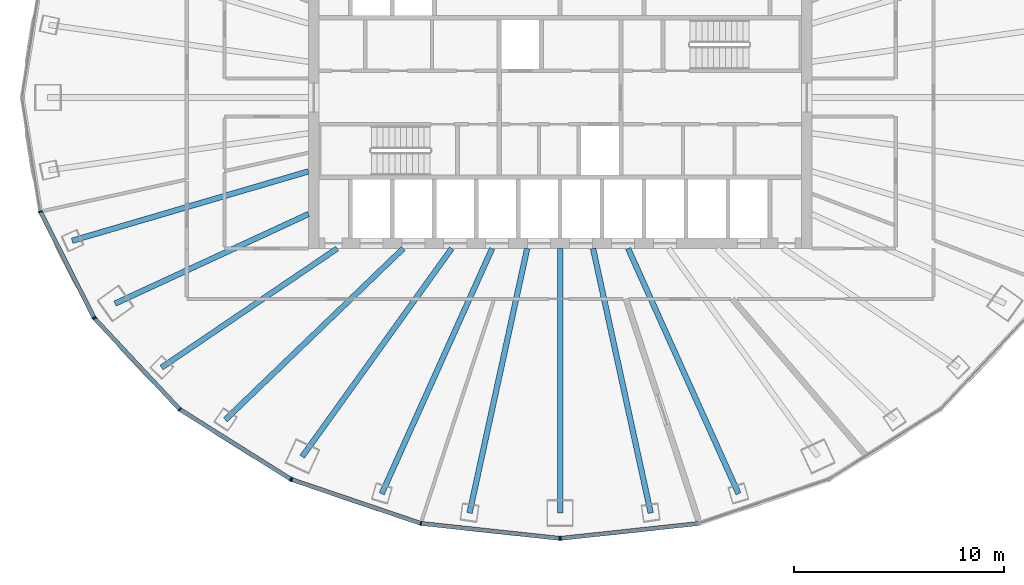
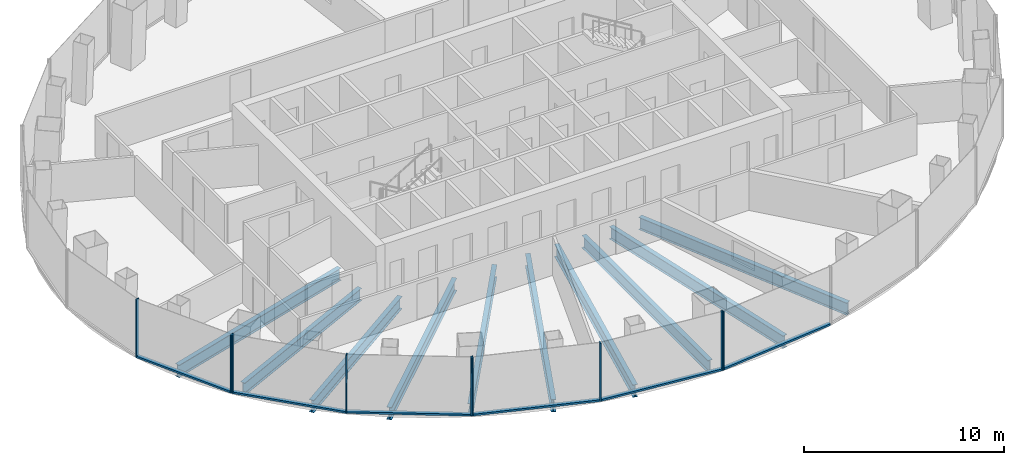
# One storey, part 2 of 12: 15 members, 10 beams, 4 elements without a shape of their own.
"""IFC4 building model written with IfcOpenShell, lengths in metres."""

from ifc_helpers import new_model, si_unit, direction, frame, origin, origin_2d, place, context, subcontext, project, spatial, rectangle, i_section, extrude, material, layer, layer_set, material_profile, profile_set, type_object, element, aggregate, save


model = new_model("IFC4")

# Units and contexts
model_context = context("Model", 3, precision=1e-05, world=origin(), true_north=direction((0.0, 1.0)))
body_context = subcontext(model_context, "Body", "Model", "MODEL_VIEW")
ifc_project = project(units=[si_unit("LENGTHUNIT", "METRE"), si_unit("AREAUNIT", "SQUARE_METRE"), si_unit("VOLUMEUNIT", "CUBIC_METRE"), si_unit("PLANEANGLEUNIT", "RADIAN"), si_unit("MASSUNIT", "GRAM", prefix="KILO")], contexts=[model_context])

# Site, building, storey
site_placement = place(None, origin())
site = spatial("IfcSite", under=ifc_project, at=site_placement, CompositionType="ELEMENT")
building_placement = place(site_placement, origin())
building = spatial("IfcBuilding", under=site, at=building_placement, Name="Siaravel Broadcast Tower", CompositionType="ELEMENT")
storey_placement = place(building_placement, frame((0.0, 0.0, 115.60009765625)))
storey = spatial("IfcBuildingStorey", under=building, at=storey_placement, Name="L27", CompositionType="ELEMENT", Elevation=115.60009765625)

# Beams
ifc_material_1 = material(Name="Steel S355", Category="steel")
ifc_material_profile_1 = material_profile(ifc_material_1, i_section(OverallWidth=0.26513671875, OverallDepth=0.75390625, WebThickness=0.0126953125, FlangeThickness=0.017578125, FilletRadius=0.0166015625, at=origin_2d()))
ifc_profile_set_1 = profile_set([ifc_material_profile_1], Name="Steel S355")
beam_type = type_object("IfcBeamType", Name="BM-UB 762x267x147", PredefinedType="BEAM", material=ifc_profile_set_1)
beam_1_placement = place(storey_placement, frame((-23.27001953125, -6.83056640625, -0.527099609375), z_axis=(0.959517615, 0.281648622, 0.0), x_axis=(-0.281648622, 0.959517615, 0.0)))
element("IfcBeam", 1, at=beam_1_placement, inside=storey, type_object=beam_type, Name="Radial beam RB21", PredefinedType="BEAM", context=body_context, shape_type="SweptSolid", body=[
    extrude(i_section(OverallWidth=0.26513671875, OverallDepth=0.75390625, WebThickness=0.0126953125, FlangeThickness=0.017578125, FilletRadius=0.0166015625, at=origin_2d()), origin(), (0.0, 0.0, 1.0), 11.74560546875),
])
beam_2_placement = place(storey_placement, frame((-21.22021484375, -9.826904296875, -0.527099609375), z_axis=(0.907423475, 0.420217369, 0.0), x_axis=(-0.420217369, 0.907423475, 0.0)))
element("IfcBeam", 2, at=beam_2_placement, inside=storey, type_object=beam_type, Name="Radial beam RB22", PredefinedType="BEAM", context=body_context, shape_type="SweptSolid", body=[
    extrude(i_section(OverallWidth=0.26513671875, OverallDepth=0.75390625, WebThickness=0.0126953125, FlangeThickness=0.017578125, FilletRadius=0.0166015625, at=origin_2d()), origin(), (0.0, 0.0, 1.0), 10.160888671875),
])
beam_3_placement = place(storey_placement, frame((-19.0068359375, -12.87548828125, -0.527099609375), z_axis=(0.827911102, 0.560859348, 0.0), x_axis=(-0.560859348, 0.827911102, 0.0)))
element("IfcBeam", 3, at=beam_3_placement, inside=storey, type_object=beam_type, Name="Radial beam RB23", PredefinedType="BEAM", context=body_context, shape_type="SweptSolid", body=[
    extrude(i_section(OverallWidth=0.26513671875, OverallDepth=0.75390625, WebThickness=0.0126953125, FlangeThickness=0.017578125, FilletRadius=0.0166015625, at=origin_2d()), origin(), (0.0, 0.0, 1.0), 10.119384765625),
])
beam_4_placement = place(storey_placement, frame((-15.964599609375, -15.3671875, -0.527099609375), z_axis=(0.720463289, 0.693493078, 0.0), x_axis=(-0.693493078, 0.720463289, 0.0)))
element("IfcBeam", 4, at=beam_4_placement, inside=storey, type_object=beam_type, Name="Radial beam RB24", PredefinedType="BEAM", context=body_context, shape_type="SweptSolid", body=[
    extrude(i_section(OverallWidth=0.26513671875, OverallDepth=0.75390625, WebThickness=0.0126953125, FlangeThickness=0.017578125, FilletRadius=0.0166015625, at=origin_2d()), origin(), (0.0, 0.0, 1.0), 11.77685546875),
])
beam_5_placement = place(storey_placement, frame((-12.30029296875, -17.123779296875, -0.527099609375), z_axis=(0.583402172, 0.812183419, 0.0), x_axis=(-0.812183419, 0.583402172, 0.0)))
element("IfcBeam", 5, at=beam_5_placement, inside=storey, type_object=beam_type, Name="Radial beam RB25", PredefinedType="BEAM", context=body_context, shape_type="SweptSolid", body=[
    extrude(i_section(OverallWidth=0.26513671875, OverallDepth=0.75390625, WebThickness=0.0126953125, FlangeThickness=0.017578125, FilletRadius=0.0166015625, at=origin_2d()), origin(), (0.0, 0.0, 1.0), 12.21875),
])
beam_6_placement = place(storey_placement, frame((-8.507080078125, -18.892822265625, -0.527099609375), z_axis=(0.410581569, 0.911823873, 0.0), x_axis=(-0.911823873, 0.410581569, 0.0)))
element("IfcBeam", 6, at=beam_6_placement, inside=storey, type_object=beam_type, Name="Radial beam RB26", PredefinedType="BEAM", context=body_context, shape_type="SweptSolid", body=[
    extrude(i_section(OverallWidth=0.26513671875, OverallDepth=0.75390625, WebThickness=0.0126953125, FlangeThickness=0.017578125, FilletRadius=0.0166015625, at=origin_2d()), origin(), (0.0, 0.0, 1.0), 12.823486328125),
])
beam_7_placement = place(storey_placement, frame((-4.32080078125, -19.8115234375, -0.527099609375), z_axis=(0.213083696, 0.97703395, 0.0), x_axis=(-0.97703395, 0.213083696, 0.0)))
element("IfcBeam", 7, at=beam_7_placement, inside=storey, type_object=beam_type, Name="Radial beam RB27", PredefinedType="BEAM", context=body_context, shape_type="SweptSolid", body=[
    extrude(i_section(OverallWidth=0.26513671875, OverallDepth=0.75390625, WebThickness=0.0126953125, FlangeThickness=0.017578125, FilletRadius=0.0166015625, at=origin_2d()), origin(), (0.0, 0.0, 1.0), 12.907958984375),
])
beam_8_placement = place(storey_placement, frame((0.0, -19.8212890625, -0.527099609375), z_axis=(0.0, 1.0, 0.0), x_axis=(-1.0, 0.0, 0.0)))
element("IfcBeam", 8, at=beam_8_placement, inside=storey, type_object=beam_type, Name="Radial beam RB28", PredefinedType="BEAM", context=body_context, shape_type="SweptSolid", body=[
    extrude(i_section(OverallWidth=0.26513671875, OverallDepth=0.75390625, WebThickness=0.0126953125, FlangeThickness=0.017578125, FilletRadius=0.0166015625, at=origin_2d()), origin(), (0.0, 0.0, 1.0), 12.621337890625),
])
beam_9_placement = place(storey_placement, frame((4.32080078125, -19.8115234375, -0.527099609375), z_axis=(-0.213083696, 0.97703395, 0.0), x_axis=(-0.97703395, -0.213083696, 0.0)))
element("IfcBeam", 9, at=beam_9_placement, inside=storey, type_object=beam_type, Name="Radial beam RB29", PredefinedType="BEAM", context=body_context, shape_type="SweptSolid", body=[
    extrude(i_section(OverallWidth=0.26513671875, OverallDepth=0.75390625, WebThickness=0.0126953125, FlangeThickness=0.017578125, FilletRadius=0.0166015625, at=origin_2d()), origin(), (0.0, 0.0, 1.0), 12.907958984375),
])
beam_10_placement = place(storey_placement, frame((8.507080078125, -18.892822265625, -0.527099609375), z_axis=(-0.410581569, 0.911823873, 0.0), x_axis=(-0.911823873, -0.410581569, 0.0)))
element("IfcBeam", 10, at=beam_10_placement, inside=storey, type_object=beam_type, Name="Radial beam RB30", PredefinedType="BEAM", context=body_context, shape_type="SweptSolid", body=[
    extrude(i_section(OverallWidth=0.26513671875, OverallDepth=0.75390625, WebThickness=0.0126953125, FlangeThickness=0.017578125, FilletRadius=0.0166015625, at=origin_2d()), origin(), (0.0, 0.0, 1.0), 12.823486328125),
])

# Curtain wall, members
ifc_material_2 = material(Name="Aluminium 6063-T6", Category="aluminium")
ifc_layer = layer(ifc_material_2, 0.199951171875)
ifc_layer_set = layer_set([ifc_layer], Name="Aluminium 6063-T6")
curtain_wall_type = type_object("IfcCurtainWallType", Name="Unitised curtain wall, zone 2", PredefinedType="NOTDEFINED", material=ifc_layer_set)
curtain_wall_1_placement = place(storey_placement, origin())
curtain_wall_1 = element("IfcCurtainWall", 11, at=curtain_wall_1_placement, inside=storey, type_object=curtain_wall_type, Name="L27 Unitised curtain wall, zone 2 07", PredefinedType="NOTDEFINED")
ifc_material_profile_2 = material_profile(ifc_material_2, rectangle(XDim=0.199951171875, YDim=0.06494140625, at=origin_2d()))
ifc_profile_set_2 = profile_set([ifc_material_profile_2], Name="Aluminium 6063-T6")
member_type_1 = type_object("IfcMemberType", Name="CW-Z2 mullion", PredefinedType="MULLION", material=ifc_profile_set_2)
member_1_placement = place(storey_placement, frame((-24.7802734375, -5.44384765625, 0.0), z_axis=(0.0, 0.0, 1.0), x_axis=(0.951177123, 0.308645559, 0.0)))
member_1 = element("IfcMember", 12, at=member_1_placement, type_object=member_type_1, Name="CW-Z2 mullion 2", PredefinedType="MULLION", context=body_context, shape_type="SweptSolid", body=[
    extrude(rectangle(XDim=0.199951171875, YDim=0.06494140625, at=origin_2d()), origin(), (0.0, 0.0, 1.0), 3.5498046875),
])
member_2_placement = place(storey_placement, frame((-22.23046875, -10.486572265625, 0.0), z_axis=(0.0, 0.0, 1.0), x_axis=(0.892391899, 0.451261231, 0.0)))
member_2 = element("IfcMember", 13, at=member_2_placement, type_object=member_type_1, Name="CW-Z2 mullion 3", PredefinedType="MULLION", context=body_context, shape_type="SweptSolid", body=[
    extrude(rectangle(XDim=0.199951171875, YDim=0.06494140625, at=origin_2d()), origin(), (0.0, 0.0, 1.0), 3.5498046875),
])

curtain_wall_2_placement = place(storey_placement, origin())
curtain_wall_2 = element("IfcCurtainWall", 14, at=curtain_wall_2_placement, inside=storey, type_object=curtain_wall_type, Name="L27 Unitised curtain wall, zone 2 08", PredefinedType="NOTDEFINED")
member_3_placement = place(storey_placement, frame((-22.193603515625, -10.539306640625, 0.0), z_axis=(0.0, 0.0, 1.0), x_axis=(0.729804977, 0.683655392, 0.0)))
member_3 = element("IfcMember", 15, at=member_3_placement, type_object=member_type_1, Name="CW-Z2 mullion 1", PredefinedType="MULLION", context=body_context, shape_type="SweptSolid", body=[
    extrude(rectangle(XDim=0.199951171875, YDim=0.06494140625, at=origin_2d()), origin(), (0.0, 0.0, 1.0), 3.5498046875),
])
member_4_placement = place(storey_placement, frame((-18.137451171875, -14.869384765625, 0.0), z_axis=(0.0, 0.0, 1.0), x_axis=(0.63621839, 0.771509015, 0.0)))
member_4 = element("IfcMember", 16, at=member_4_placement, type_object=member_type_1, Name="CW-Z2 mullion 2", PredefinedType="MULLION", context=body_context, shape_type="SweptSolid", body=[
    extrude(rectangle(XDim=0.199951171875, YDim=0.06494140625, at=origin_2d()), origin(), (0.0, 0.0, 1.0), 3.5498046875),
])
member_5_placement = place(storey_placement, frame((-12.8515625, -18.191650390625, 0.0), z_axis=(0.0, 0.0, 1.0), x_axis=(0.532149019, 0.846650708, 0.0)))
member_5 = element("IfcMember", 17, at=member_5_placement, type_object=member_type_1, Name="CW-Z2 mullion 3", PredefinedType="MULLION", context=body_context, shape_type="SweptSolid", body=[
    extrude(rectangle(XDim=0.199951171875, YDim=0.06494140625, at=origin_2d()), origin(), (0.0, 0.0, 1.0), 3.5498046875),
])

curtain_wall_3_placement = place(storey_placement, origin())
curtain_wall_3 = element("IfcCurtainWall", 18, at=curtain_wall_3_placement, inside=storey, type_object=curtain_wall_type, Name="L27 Unitised curtain wall, zone 2 09", PredefinedType="NOTDEFINED")
member_6_placement = place(storey_placement, frame((-12.793212890625, -18.21923828125, 0.0), z_axis=(0.0, 0.0, 1.0), x_axis=(0.321300513, 0.946977286, 0.0)))
member_6 = element("IfcMember", 19, at=member_6_placement, type_object=member_type_1, Name="CW-Z2 mullion 1", PredefinedType="MULLION", context=body_context, shape_type="SweptSolid", body=[
    extrude(rectangle(XDim=0.199951171875, YDim=0.06494140625, at=origin_2d()), origin(), (0.0, 0.0, 1.0), 3.5498046875),
])
member_7_placement = place(storey_placement, frame((-6.637939453125, -20.307861328125, 0.0), z_axis=(0.0, 0.0, 1.0), x_axis=(0.215557996, 0.97649104, 0.0)))
member_7 = element("IfcMember", 20, at=member_7_placement, type_object=member_type_1, Name="CW-Z2 mullion 2", PredefinedType="MULLION", context=body_context, shape_type="SweptSolid", body=[
    extrude(rectangle(XDim=0.199951171875, YDim=0.06494140625, at=origin_2d()), origin(), (0.0, 0.0, 1.0), 3.5498046875),
])
member_8_placement = place(storey_placement, frame((-0.0322265625, -21.02001953125, 0.0), z_axis=(0.0, 0.0, 1.0), x_axis=(0.107217456, 0.994235594, 0.0)))
member_8 = element("IfcMember", 21, at=member_8_placement, type_object=member_type_1, Name="CW-Z2 mullion 3", PredefinedType="MULLION", context=body_context, shape_type="SweptSolid", body=[
    extrude(rectangle(XDim=0.199951171875, YDim=0.06494140625, at=origin_2d()), origin(), (0.0, 0.0, 1.0), 3.5498046875),
])

# Curtain wall, member
curtain_wall_4_placement = place(storey_placement, origin())
curtain_wall_4 = element("IfcCurtainWall", 22, at=curtain_wall_4_placement, inside=storey, type_object=curtain_wall_type, Name="L27 Unitised curtain wall, zone 2 10", PredefinedType="NOTDEFINED")
member_9_placement = place(storey_placement, frame((0.0322265625, -21.02001953125, 0.0), z_axis=(0.0, 0.0, 1.0), x_axis=(-0.107217456, 0.994235594, 0.0)))
member_9 = element("IfcMember", 23, at=member_9_placement, type_object=member_type_1, Name="CW-Z2 mullion 1", PredefinedType="MULLION", context=body_context, shape_type="SweptSolid", body=[
    extrude(rectangle(XDim=0.199951171875, YDim=0.06494140625, at=origin_2d()), origin(), (0.0, 0.0, 1.0), 3.5498046875),
])

# Member
ifc_material_profile_3 = material_profile(ifc_material_2, rectangle(XDim=0.199951171875, YDim=0.110107421875, at=origin_2d()))
ifc_profile_set_3 = profile_set([ifc_material_profile_3], Name="Aluminium 6063-T6")
member_type_2 = type_object("IfcMemberType", Name="CW-Z2 transom", PredefinedType="USERDEFINED", material=ifc_profile_set_3)
member_10_placement = place(storey_placement, frame((-24.765625, -5.472900390625, 0.054931640625), z_axis=(0.451247712, -0.892398735, 0.0), x_axis=(0.892398735, 0.451247712, 0.0)))
member_10 = element("IfcMember", 24, at=member_10_placement, type_object=member_type_2, Name="CW-Z2 transom 2", ObjectType="TRANSOM", PredefinedType="USERDEFINED", context=body_context, shape_type="SweptSolid", body=[
    extrude(rectangle(XDim=0.199951171875, YDim=0.110107421875, at=origin_2d()), origin(), (0.0, 0.0, 1.0), 5.585693359375),
])

aggregate(curtain_wall_1, [member_1, member_2, member_10])

member_11_placement = place(storey_placement, frame((-22.17138671875, -10.56298828125, 0.054931640625), z_axis=(0.683660134, -0.729800536, 0.0), x_axis=(0.729800536, 0.683660134, 0.0)))
member_11 = element("IfcMember", 25, at=member_11_placement, type_object=member_type_2, Name="CW-Z2 transom 1", ObjectType="TRANSOM", PredefinedType="USERDEFINED", context=body_context, shape_type="SweptSolid", body=[
    extrude(rectangle(XDim=0.199951171875, YDim=0.110107421875, at=origin_2d()), origin(), (0.0, 0.0, 1.0), 5.867919921875),
])

member_12_placement = place(storey_placement, frame((-18.10986328125, -14.886474609375, 0.054931640625), z_axis=(0.846639093, -0.532167499, 0.0), x_axis=(0.532167499, 0.846639093, 0.0)))
member_12 = element("IfcMember", 26, at=member_12_placement, type_object=member_type_2, Name="CW-Z2 transom 2", ObjectType="TRANSOM", PredefinedType="USERDEFINED", context=body_context, shape_type="SweptSolid", body=[
    extrude(rectangle(XDim=0.199951171875, YDim=0.110107421875, at=origin_2d()), origin(), (0.0, 0.0, 1.0), 6.17822265625),
])

aggregate(curtain_wall_2, [member_3, member_4, member_5, member_11, member_12])

member_13_placement = place(storey_placement, frame((-12.762451171875, -18.229736328125, 0.054931640625), z_axis=(0.946973753, -0.321310926, 0.0), x_axis=(0.321310926, 0.946973753, 0.0)))
member_13 = element("IfcMember", 27, at=member_13_placement, type_object=member_type_2, Name="CW-Z2 transom 1", ObjectType="TRANSOM", PredefinedType="USERDEFINED", context=body_context, shape_type="SweptSolid", body=[
    extrude(rectangle(XDim=0.199951171875, YDim=0.110107421875, at=origin_2d()), origin(), (0.0, 0.0, 1.0), 6.43505859375),
])

member_14_placement = place(storey_placement, frame((-6.60546875, -20.311279296875, 0.054931640625), z_axis=(0.994236057, -0.107213167, 0.0), x_axis=(0.107213167, 0.994236057, 0.0)))
member_14 = element("IfcMember", 28, at=member_14_placement, type_object=member_type_2, Name="CW-Z2 transom 2", ObjectType="TRANSOM", PredefinedType="USERDEFINED", context=body_context, shape_type="SweptSolid", body=[
    extrude(rectangle(XDim=0.199951171875, YDim=0.110107421875, at=origin_2d()), origin(), (0.0, 0.0, 1.0), 6.57861328125),
])

aggregate(curtain_wall_3, [member_6, member_7, member_8, member_13, member_14])

member_15_placement = place(storey_placement, frame((0.064697265625, -21.0166015625, 0.054931640625), z_axis=(0.994236057, 0.107213167, 0.0), x_axis=(-0.107213167, 0.994236057, 0.0)))
member_15 = element("IfcMember", 29, at=member_15_placement, type_object=member_type_2, Name="CW-Z2 transom 1", ObjectType="TRANSOM", PredefinedType="USERDEFINED", context=body_context, shape_type="SweptSolid", body=[
    extrude(rectangle(XDim=0.199951171875, YDim=0.110107421875, at=origin_2d()), origin(), (0.0, 0.0, 1.0), 6.57861328125),
])

aggregate(curtain_wall_4, [member_9, member_15])

save(model, "model.ifc")
